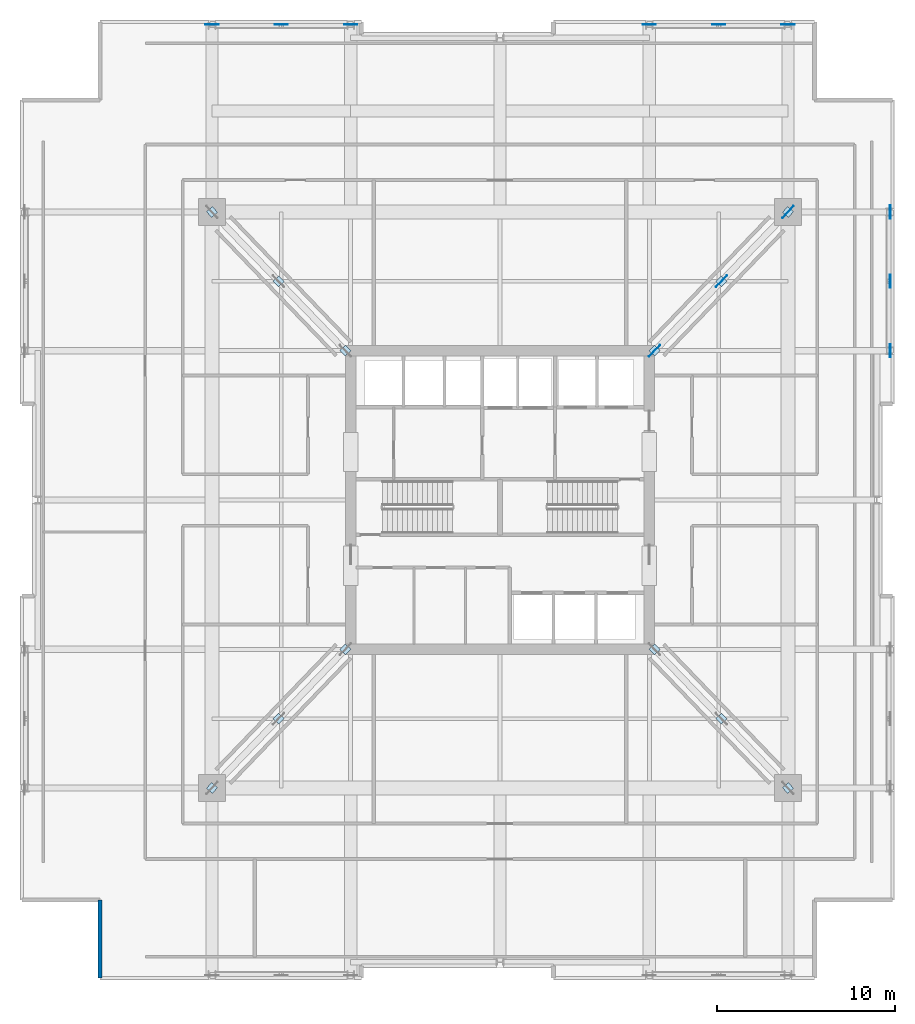
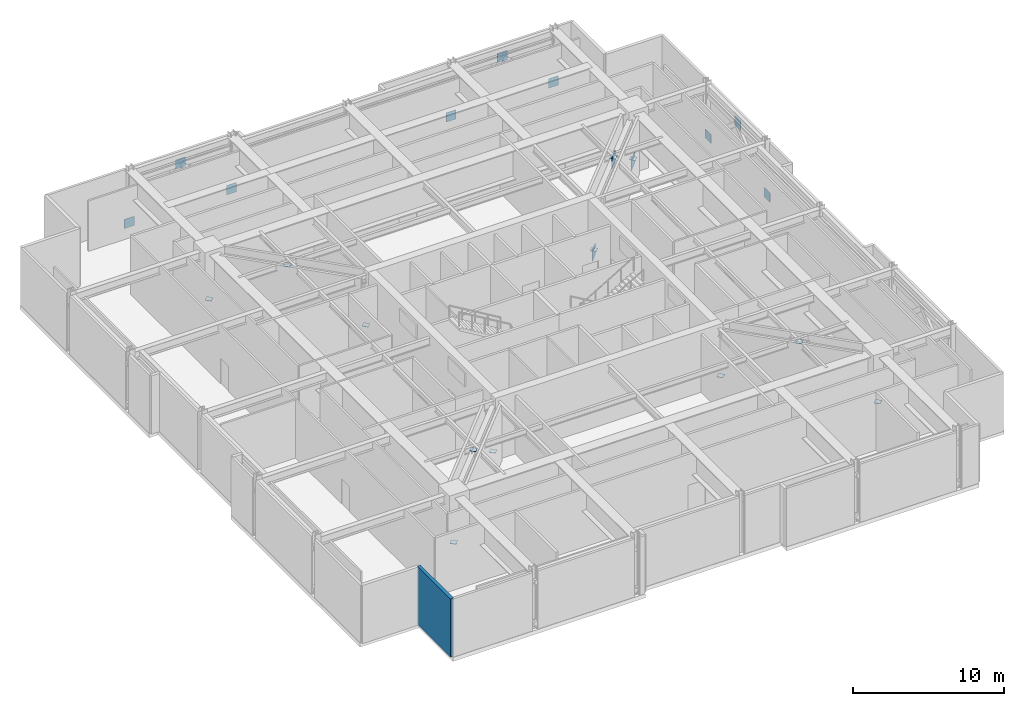
# One storey, part 6 of 13: 24 plates, 1 wall.
"""IFC4 building model written with IfcOpenShell, lengths in metres."""

from ifc_helpers import new_model, si_unit, direction, frame, frame_2d, origin, origin_2d, place, context, subcontext, project, spatial, rectangle, extrude, material, layer, layer_set, type_object, element, save


model = new_model("IFC4")

# Units and contexts
model_context = context("Model", 3, precision=1e-05, world=origin(), true_north=direction((0.0, 1.0)))
body_context = subcontext(model_context, "Body", "Model", "MODEL_VIEW")
ifc_project = project(units=[si_unit("LENGTHUNIT", "METRE"), si_unit("AREAUNIT", "SQUARE_METRE"), si_unit("VOLUMEUNIT", "CUBIC_METRE"), si_unit("PLANEANGLEUNIT", "RADIAN"), si_unit("MASSUNIT", "GRAM", prefix="KILO")], contexts=[model_context])

# Site, building, storey
site_placement = place(None, origin())
site = spatial("IfcSite", under=ifc_project, at=site_placement, CompositionType="ELEMENT")
building_placement = place(site_placement, origin())
building = spatial("IfcBuilding", under=site, at=building_placement, Name="Drelvath Grand Hotel", CompositionType="ELEMENT")
storey_placement = place(building_placement, frame((0.0, 0.0, 140.800048828125)))
storey = spatial("IfcBuildingStorey", under=building, at=storey_placement, Name="L36", CompositionType="ELEMENT", Elevation=140.800048828125)

# Plates
ifc_material_1 = material(Name="Steel ASTM A572 Gr 50", Category="steel")
ifc_layer_1 = layer(ifc_material_1, 0.031982421875)
ifc_layer_set_1 = layer_set([ifc_layer_1], Name="Steel ASTM A572 Gr 50")
plate_type_1 = type_object("IfcPlateType", Name="Belt Truss Node Gusset Plate 32mm", PredefinedType="USERDEFINED", material=ifc_layer_set_1)
for number, where, z_axis, x_axis, name in (
    (1, (21.949951171875, 35.39990234375, -0.025146484375), (0.0, 0.0, 1.0), (0.0, 1.0, 0.0), "L36 Belt Truss Start Gusset BE-N"),
    (2, (21.949951171875, 39.300048828125, 3.405029296875), (0.0, 0.0, 1.0), (0.0, 1.0, 0.0), "L36 Belt Truss Apex Gusset BE-N"),
    (3, (21.949951171875, 43.199951171875, -0.025146484375), (0.0, 0.0, 1.0), (0.0, 1.0, 0.0), "L36 Belt Truss End Gusset BE-N"),
    (4, (-16.199951171875, 53.75, -0.025146484375), (0.0, 0.0, 1.0), (1.0, 0.0, 0.0), "L36 Belt Truss Start Gusset BN-W"),
    (5, (-12.300048828125, 53.75, 3.405029296875), (0.0, 0.0, 1.0), (1.0, 0.0, 0.0), "L36 Belt Truss Apex Gusset BN-W"),
    (6, (-8.39990234375, 53.75, -0.025146484375), (0.0, 0.0, 1.0), (1.0, 0.0, 0.0), "L36 Belt Truss End Gusset BN-W"),
    (7, (8.39990234375, 53.75, -0.025146484375), (0.0, 0.0, 1.0), (1.0, 0.0, 0.0), "L36 Belt Truss Start Gusset BN-E"),
    (8, (12.300048828125, 53.75, 3.405029296875), (0.0, 0.0, 1.0), (1.0, 0.0, 0.0), "L36 Belt Truss Apex Gusset BN-E"),
    (9, (16.199951171875, 53.75, -0.025146484375), (0.0, 0.0, 1.0), (1.0, 0.0, 0.0), "L36 Belt Truss End Gusset BN-E"),
):
    element("IfcPlate", number, at=place(storey_placement, frame(where, z_axis=z_axis, x_axis=x_axis)), inside=storey, type_object=plate_type_1, Name=name, ObjectType="GUSSET_PLATE", PredefinedType="USERDEFINED", context=body_context, shape_type="SweptSolid", body=[
        extrude(rectangle(XDim=0.75, YDim=0.031982421875, at=origin_2d()), origin(), (0.0, 0.0, 1.0), 0.75),
    ])
ifc_layer_2 = layer(ifc_material_1, 0.02490234375)
ifc_layer_set_2 = layer_set([ifc_layer_2], Name="Steel ASTM A572 Gr 50")
plate_type_2 = type_object("IfcPlateType", Name="Hollow Section End Cap Plate 25mm", PredefinedType="SHEET", material=ifc_layer_set_2)
for number, where, z_axis, x_axis, name in (
    (10, (-8.699951171875, 18.60009765625, 0.5576171875), (0.0, 0.0, 1.0), (-0.693108716253, -0.720833064901, 0.0), "L36 Outrigger Hollow End Cap SW-1"),
    (11, (-12.449951171875, 14.699951171875, 4.357421875), (0.0, 0.0, 1.0), (-0.693108716253, -0.720833064901, 0.0), "L36 Outrigger Hollow End Cap SW-2"),
    (12, (-16.199951171875, 10.800048828125, 0.5576171875), (0.0, 0.0, 1.0), (-0.693108716253, -0.720833064901, 0.0), "L36 Outrigger Hollow End Cap SW-3"),
    (13, (8.699951171875, 18.60009765625, 0.5576171875), (0.0, 0.0, 1.0), (0.693108716253, -0.720833064901, 0.0), "L36 Outrigger Hollow End Cap SE-1"),
    (14, (12.449951171875, 14.699951171875, 4.357421875), (0.0, 0.0, 1.0), (0.693108716253, -0.720833064901, 0.0), "L36 Outrigger Hollow End Cap SE-2"),
    (15, (16.199951171875, 10.800048828125, 0.5576171875), (0.0, 0.0, 1.0), (0.693108716253, -0.720833064901, 0.0), "L36 Outrigger Hollow End Cap SE-3"),
    (16, (-8.699951171875, 35.39990234375, 0.5576171875), (0.0, 0.0, 1.0), (-0.693108716253, 0.720833064901, 0.0), "L36 Outrigger Hollow End Cap NW-1"),
    (17, (-12.449951171875, 39.300048828125, 4.357421875), (0.0, 0.0, 1.0), (-0.693108716253, 0.720833064901, 0.0), "L36 Outrigger Hollow End Cap NW-2"),
    (18, (-16.199951171875, 43.199951171875, 0.5576171875), (0.0, 0.0, 1.0), (-0.693108716253, 0.720833064901, 0.0), "L36 Outrigger Hollow End Cap NW-3"),
    (19, (8.699951171875, 35.39990234375, 0.5576171875), (0.0, 0.0, 1.0), (0.693108716253, 0.720833064901, 0.0), "L36 Outrigger Hollow End Cap NE-1"),
    (20, (12.449951171875, 39.300048828125, 4.357421875), (0.0, 0.0, 1.0), (0.693108716253, 0.720833064901, 0.0), "L36 Outrigger Hollow End Cap NE-2"),
    (21, (16.199951171875, 43.199951171875, 0.5576171875), (0.0, 0.0, 1.0), (0.693108716253, 0.720833064901, 0.0), "L36 Outrigger Hollow End Cap NE-3"),
):
    element("IfcPlate", number, at=place(storey_placement, frame(where, z_axis=z_axis, x_axis=x_axis)), inside=storey, type_object=plate_type_2, Name=name, PredefinedType="SHEET", context=body_context, shape_type="SweptSolid", body=[
        extrude(rectangle(XDim=0.43994140625, YDim=0.43994140625, at=origin_2d()), origin(), (0.0, 0.0, 1.0), 0.02490234375),
    ])
ifc_layer_3 = layer(ifc_material_1, 0.0400390625)
ifc_layer_set_3 = layer_set([ifc_layer_3], Name="Steel ASTM A572 Gr 50")
plate_type_3 = type_object("IfcPlateType", Name="Outrigger Node Gusset Plate 40mm", PredefinedType="USERDEFINED", material=ifc_layer_set_3)
for number, where, z_axis, x_axis, name in (
    (22, (8.699951171875, 35.39990234375, -0.10009765625), (0.0, 0.0, 1.0), (0.693108716253, 0.720833064901, 0.0), "L36 Outrigger Node Gusset NE-1"),
    (23, (12.449951171875, 39.300048828125, 3.699951171875), (0.0, 0.0, 1.0), (0.693108716253, 0.720833064901, 0.0), "L36 Outrigger Node Gusset NE-2"),
    (24, (16.199951171875, 43.199951171875, -0.10009765625), (0.0, 0.0, 1.0), (0.693108716253, 0.720833064901, 0.0), "L36 Outrigger Node Gusset NE-3"),
):
    element("IfcPlate", number, at=place(storey_placement, frame(where, z_axis=z_axis, x_axis=x_axis)), inside=storey, type_object=plate_type_3, Name=name, ObjectType="GUSSET_PLATE", PredefinedType="USERDEFINED", context=body_context, shape_type="SweptSolid", body=[
        extrude(rectangle(XDim=0.89990234375, YDim=0.0400390625, at=origin_2d()), origin(), (0.0, 0.0, 1.0), 0.89990234375),
    ])

# Wall
ifc_material_2 = material(Name="Pale-Metal Insulated Aluminium Spandrel Assembly", Category="aluminium")
ifc_layer_4 = layer(ifc_material_2, 0.239990234375)
ifc_layer_set_4 = layer_set([ifc_layer_4], Name="Pale-Metal Insulated Aluminium Spandrel Assembly")
wall_type = type_object("IfcWallType", Name="Tower Insulated Metal Spandrel Closure Wall 240", PredefinedType="STANDARD", material=ifc_layer_set_4)
wall_placement = place(storey_placement, frame((-22.5, 0.1201171875, 0.0), z_axis=(0.0, 0.0, 1.0), x_axis=(0.0, 1.0, 0.0)))
element("IfcWall", 25, at=wall_placement, inside=storey, type_object=wall_type, Name="L36 Notched Corner Return Spandrel Wall CSW1", PredefinedType="STANDARD", context=body_context, shape_type="SweptSolid", body=[
    extrude(rectangle(XDim=4.3798828125, YDim=0.239990234375, at=frame_2d((2.18994140625, 0.0))), origin(), (0.0, 0.0, 1.0), 4.699951171875),
])

save(model, "model.ifc")
